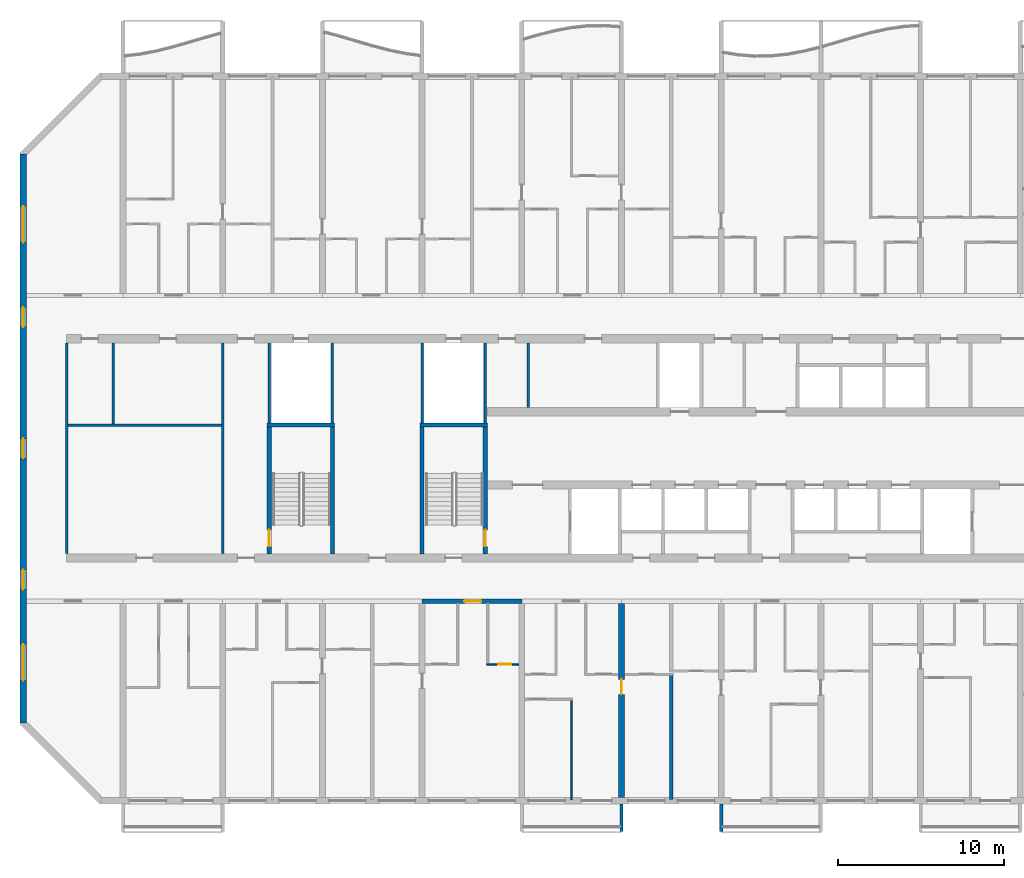
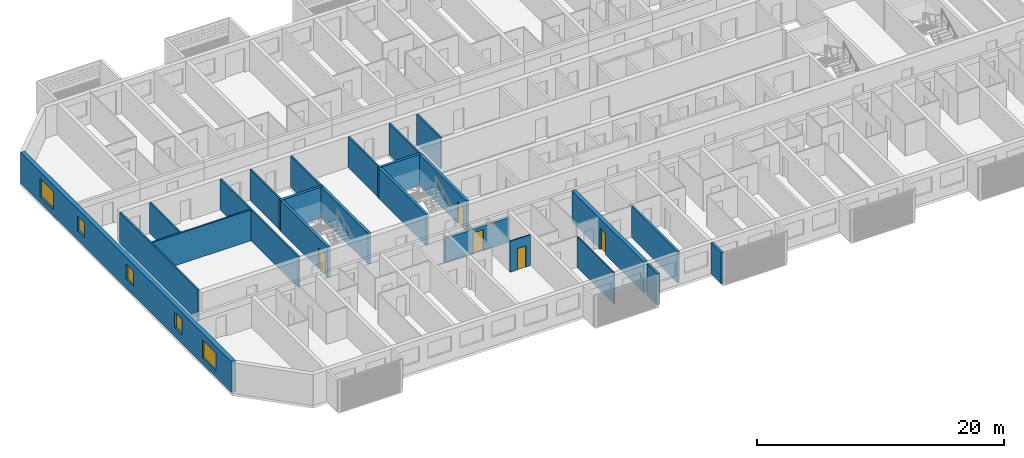
# One storey, part 3 of 27: 23 walls, 5 doors, 5 windows, 10 openings.
"""IFC4 building model written with IfcOpenShell, lengths in metres."""

from ifc_helpers import new_model, si_unit, direction, frame, frame_2d, origin, place, context, subcontext, project, spatial, polyline, rectangle, outline, extrude, source, transform, mapped, material, layer, layer_set, type_object, element, fill, save


model = new_model("IFC4")

# Units and contexts
model_context = context("Model", 3, precision=1e-05, world=origin(), true_north=direction((0.0, 1.0)))
body_context = subcontext(model_context, "Body", "Model", "MODEL_VIEW")
ifc_project = project(units=[si_unit("LENGTHUNIT", "METRE"), si_unit("AREAUNIT", "SQUARE_METRE"), si_unit("VOLUMEUNIT", "CUBIC_METRE"), si_unit("PLANEANGLEUNIT", "RADIAN"), si_unit("MASSUNIT", "GRAM", prefix="KILO")], contexts=[model_context])

# Site, building, storey
site_placement = place(None, origin())
site = spatial("IfcSite", under=ifc_project, at=site_placement, CompositionType="ELEMENT")
building_placement = place(site_placement, origin())
building = spatial("IfcBuilding", under=site, at=building_placement, Name="Poui Terraces", CompositionType="ELEMENT")
storey_placement = place(building_placement, frame((0.0, 0.0, 92.699951171875)))
storey = spatial("IfcBuildingStorey", under=building, at=storey_placement, Name="L25", CompositionType="ELEMENT", Elevation=92.699951171875)

# Walls
ifc_material_1 = material(Name="Fire-rated plasterboard wall")
ifc_layer_1 = layer(ifc_material_1, 0.14990234375)
ifc_layer_set_1 = layer_set([ifc_layer_1], Name="Fire-rated plasterboard wall")
wall_type_1 = type_object("IfcWallType", Name="CORRIDOR WALL 150", PredefinedType="PARTITIONING", material=ifc_layer_set_1)
for number, where, z_axis, x_axis, name in (
    (1, (8.60009765625, 14.860107421875, 0.0), (0.0, 0.0, 1.0), (0.0, 1.0, 0.0), "CORRIDOR WALL 150"),
    (2, (18.0, 14.860107421875, 0.0), (0.0, 0.0, 1.0), (0.0, 1.0, 0.0), "CORRIDOR WALL 150"),
):
    element("IfcWall", number, at=place(storey_placement, frame(where, z_axis=z_axis, x_axis=x_axis)), inside=storey, type_object=wall_type_1, Name=name, PredefinedType="PARTITIONING", context=body_context, shape_type="SweptSolid", body=[
        extrude(rectangle(XDim=12.679931640625, YDim=0.14990234375, at=frame_2d((6.33984375, 0.0))), origin(), (0.0, 0.0, 1.0), 3.06005859375),
    ])

# Wall, opening, door
ifc_material_2 = material(Name="Concrete 65 MPa", Category="concrete")
ifc_layer_2 = layer(ifc_material_2, 0.25)
ifc_layer_set_2 = layer_set([ifc_layer_2], Name="Concrete 65 MPa")
wall_type_2 = type_object("IfcWallType", Name="CORRIDOR WALL 250 65MPa", PredefinedType="SHEAR", material=ifc_layer_set_2)
wall_1_placement = place(storey_placement, frame((30.0, 12.0, 0.0), z_axis=(0.0, 0.0, 1.0), x_axis=(1.0, 0.0, 0.0)))
wall_1 = element("IfcWall", 3, at=wall_1_placement, inside=storey, type_object=wall_type_2, Name="CORRIDOR WALL LINE B BAY 5", PredefinedType="SHEAR", context=body_context, shape_type="SweptSolid", body=[
    extrude(rectangle(XDim=6.0, YDim=0.25, at=frame_2d((3.0, 0.0))), origin(), (0.0, 0.0, 1.0), 2.4599609375),
])
opening_1_placement = place(wall_1_placement, frame((2.550048828125, 0.0, 0.0)))
opening_1 = element("IfcOpeningElement", 4, at=opening_1_placement, cuts=wall_1, Name="Opening FD30S", PredefinedType="OPENING", context=body_context, shape_type="SweptSolid", body=[
    extrude(rectangle(XDim=1.0, YDim=2.10009765625, at=frame_2d((0.5, 1.050048828125))), frame((0.0, 0.135009765625, 0.0), z_axis=(0.0, -1.0, 0.0), x_axis=(1.0, 0.0, 0.0)), (0.0, 0.0, 1.0), 0.27001953125),
])
ifc_material_3 = material(Name="Steel fire door", Category="steel")
door_type_1 = type_object("IfcDoorType", Name="FLAT ENTRANCE DOOR 1000 X 2100", OperationType="NOTDEFINED", PredefinedType="DOOR", material=ifc_material_3)
door_1_placement = place(opening_1_placement, frame((1.0, 0.0, 0.0), z_axis=(0.0, 0.0, 1.0), x_axis=(-1.0, 0.0, 0.0)))
door_1 = element("IfcDoor", 5, at=door_1_placement, inside=storey, type_object=door_type_1, Name="FLAT ENTRANCE DOOR 096", OperationType="SINGLE_SWING_LEFT", OverallHeight=2.10009765625, OverallWidth=1.0, PredefinedType="DOOR", context=body_context, shape_type="SweptSolid", body=[
    extrude(rectangle(XDim=1.0, YDim=2.10009765625, at=frame_2d((0.5, 1.050048828125))), frame((0.0, 0.02490234375, 0.0), z_axis=(0.0, -1.0, 0.0), x_axis=(1.0, 0.0, 0.0)), (0.0, 0.0, 1.0), 0.050048828125),
])
fill(opening_1, door_1)

ifc_layer_3 = layer(ifc_material_2, 0.35009765625)
ifc_layer_set_3 = layer_set([ifc_layer_3], Name="Concrete 65 MPa")
wall_type_3 = type_object("IfcWallType", Name="CROSS WALL 350 65MPa", PredefinedType="SHEAR", material=ifc_layer_set_3)
wall_2_placement = place(storey_placement, frame((42.0, 0.199951171875, 0.0), z_axis=(0.0, 0.0, 1.0), x_axis=(0.0, 1.0, 0.0)))
wall_2 = element("IfcWall", 6, at=wall_2_placement, inside=storey, type_object=wall_type_3, Name="CROSS WALL LINE 8 SOUTH", PredefinedType="SHEAR", context=body_context, shape_type="SweptSolid", body=[
    extrude(rectangle(XDim=11.675048828125, YDim=0.35009765625, at=frame_2d((5.83740234375, 0.0))), origin(), (0.0, 0.0, 1.0), 3.06005859375),
])
opening_2_placement = place(wall_2_placement, frame((6.199951171875, 0.0, 0.0)))
opening_2 = element("IfcOpeningElement", 7, at=opening_2_placement, cuts=wall_2, Name="Opening D90", PredefinedType="OPENING", context=body_context, shape_type="SweptSolid", body=[
    extrude(rectangle(XDim=0.89990234375, YDim=2.10009765625, at=frame_2d((0.449951171875, 1.050048828125))), frame((0.0, 0.18505859375, 0.0), z_axis=(0.0, -1.0, 0.0), x_axis=(1.0, 0.0, 0.0)), (0.0, 0.0, 1.0), 0.3701171875),
])
ifc_material_4 = material(Name="Solid core timber door", Category="wood")
door_type_2 = type_object("IfcDoorType", Name="INTERNAL DOOR 900 X 2100", OperationType="NOTDEFINED", PredefinedType="DOOR", material=ifc_material_4)
door_2_placement = place(opening_2_placement, frame((0.89990234375, 0.0, 0.0), z_axis=(0.0, 0.0, 1.0), x_axis=(-1.0, 0.0, 0.0)))
door_2 = element("IfcDoor", 8, at=door_2_placement, inside=storey, type_object=door_type_2, Name="INTERNAL DOOR 103", OperationType="SINGLE_SWING_LEFT", OverallHeight=2.10009765625, OverallWidth=0.89990234375, PredefinedType="DOOR", context=body_context, shape_type="SweptSolid", body=[
    extrude(rectangle(XDim=0.89990234375, YDim=2.10009765625, at=frame_2d((0.449951171875, 1.050048828125))), frame((0.0, 0.02490234375, 0.0), z_axis=(0.0, -1.0, 0.0), x_axis=(1.0, 0.0, 0.0)), (0.0, 0.0, 1.0), 0.050048828125),
])
fill(opening_2, door_2)

# Wall, openings, windows
ifc_layer_4 = layer(ifc_material_2, 0.39990234375)
ifc_layer_set_4 = layer_set([ifc_layer_4], Name="Concrete 65 MPa")
wall_type_4 = type_object("IfcWallType", Name="END WALL 400 65MPa", PredefinedType="SHEAR", material=ifc_layer_set_4)
wall_3_placement = place(storey_placement, frame((6.0, 4.682861328125, 0.0), z_axis=(0.0, 0.0, 1.0), x_axis=(0.0, 1.0, 0.0)))
wall_3 = element("IfcWall", 9, at=wall_3_placement, inside=storey, type_object=wall_type_4, Name="END WALL WEST", PredefinedType="SHEAR", context=body_context, shape_type="SweptSolid", body=[
    extrude(rectangle(XDim=34.234375, YDim=0.39990234375, at=frame_2d((17.1171875, 0.0))), origin(), (0.0, 0.0, 1.0), 3.06005859375),
])
opening_3_placement = place(wall_3_placement, frame((23.817138671875, 0.0, 0.89990234375)))
opening_3 = element("IfcOpeningElement", 10, at=opening_3_placement, cuts=wall_3, Name="Opening W2", PredefinedType="OPENING", context=body_context, shape_type="SweptSolid", body=[
    extrude(rectangle(XDim=1.199951171875, YDim=1.5, at=frame_2d((0.60009765625, 0.75))), frame((0.0, 0.2099609375, 0.0), z_axis=(0.0, -1.0, 0.0), x_axis=(1.0, 0.0, 0.0)), (0.0, 0.0, 1.0), 0.419921875),
])
opening_4_placement = place(wall_3_placement, frame((8.01708984375, 0.0, 0.89990234375)))
opening_4 = element("IfcOpeningElement", 11, at=opening_4_placement, cuts=wall_3, Name="Opening W2", PredefinedType="OPENING", context=body_context, shape_type="SweptSolid", body=[
    extrude(rectangle(XDim=1.199951171875, YDim=1.5, at=frame_2d((0.60009765625, 0.75))), frame((0.0, 0.2099609375, 0.0), z_axis=(0.0, -1.0, 0.0), x_axis=(1.0, 0.0, 0.0)), (0.0, 0.0, 1.0), 0.419921875),
])
opening_5_placement = place(wall_3_placement, frame((15.917236328125, 0.0, 0.89990234375)))
opening_5 = element("IfcOpeningElement", 12, at=opening_5_placement, cuts=wall_3, Name="Opening W2", PredefinedType="OPENING", context=body_context, shape_type="SweptSolid", body=[
    extrude(rectangle(XDim=1.199951171875, YDim=1.5, at=frame_2d((0.60009765625, 0.75))), frame((0.0, 0.2099609375, 0.0), z_axis=(0.0, -1.0, 0.0), x_axis=(1.0, 0.0, 0.0)), (0.0, 0.0, 1.0), 0.419921875),
])
opening_6_placement = place(wall_3_placement, frame((28.8935546875, 0.0, 0.60009765625)))
opening_6 = element("IfcOpeningElement", 13, at=opening_6_placement, cuts=wall_3, Name="Opening W3", PredefinedType="OPENING", context=body_context, shape_type="SweptSolid", body=[
    extrude(rectangle(XDim=2.199951171875, YDim=1.800048828125, at=frame_2d((1.10009765625, 0.89990234375))), frame((0.0, 0.2099609375, 0.0), z_axis=(0.0, -1.0, 0.0), x_axis=(1.0, 0.0, 0.0)), (0.0, 0.0, 1.0), 0.419921875),
])
opening_7_placement = place(wall_3_placement, frame((2.541015625, 0.0, 0.60009765625)))
opening_7 = element("IfcOpeningElement", 14, at=opening_7_placement, cuts=wall_3, Name="Opening W3", PredefinedType="OPENING", context=body_context, shape_type="SweptSolid", body=[
    extrude(rectangle(XDim=2.199951171875, YDim=1.800048828125, at=frame_2d((1.10009765625, 0.89990234375))), frame((0.0, 0.2099609375, 0.0), z_axis=(0.0, -1.0, 0.0), x_axis=(1.0, 0.0, 0.0)), (0.0, 0.0, 1.0), 0.419921875),
])
ifc_material_5 = material(Name="Clear glass in aluminium frame", Category="aluminium")
window_type_1 = type_object("IfcWindowType", Name="WINDOW 1200X1500", PartitioningType="SINGLE_PANEL", PredefinedType="WINDOW", material=ifc_material_5)
window_1_placement = place(opening_3_placement, origin())
window_1 = element("IfcWindow", 15, at=window_1_placement, inside=storey, type_object=window_type_1, Name="W2 WINDOW", OverallHeight=1.5, OverallWidth=1.199951171875, PartitioningType="SINGLE_PANEL", PredefinedType="WINDOW", context=body_context, shape_type="SweptSolid", body=[
    extrude(rectangle(XDim=1.199951171875, YDim=1.5, at=frame_2d((0.60009765625, 0.75))), frame((0.0, 0.030029296875, 0.0), z_axis=(0.0, -1.0, 0.0), x_axis=(1.0, 0.0, 0.0)), (0.0, 0.0, 1.0), 0.06005859375),
])
fill(opening_3, window_1)
window_2_placement = place(opening_4_placement, origin())
window_2 = element("IfcWindow", 16, at=window_2_placement, inside=storey, type_object=window_type_1, Name="W2 WINDOW", OverallHeight=1.5, OverallWidth=1.199951171875, PartitioningType="SINGLE_PANEL", PredefinedType="WINDOW", context=body_context, shape_type="SweptSolid", body=[
    extrude(rectangle(XDim=1.199951171875, YDim=1.5, at=frame_2d((0.60009765625, 0.75))), frame((0.0, 0.030029296875, 0.0), z_axis=(0.0, -1.0, 0.0), x_axis=(1.0, 0.0, 0.0)), (0.0, 0.0, 1.0), 0.06005859375),
])
fill(opening_4, window_2)
window_3_placement = place(opening_5_placement, origin())
window_3 = element("IfcWindow", 17, at=window_3_placement, inside=storey, type_object=window_type_1, Name="W2 WINDOW", OverallHeight=1.5, OverallWidth=1.199951171875, PartitioningType="SINGLE_PANEL", PredefinedType="WINDOW", context=body_context, shape_type="SweptSolid", body=[
    extrude(rectangle(XDim=1.199951171875, YDim=1.5, at=frame_2d((0.60009765625, 0.75))), frame((0.0, 0.030029296875, 0.0), z_axis=(0.0, -1.0, 0.0), x_axis=(1.0, 0.0, 0.0)), (0.0, 0.0, 1.0), 0.06005859375),
])
fill(opening_5, window_3)
window_type_2 = type_object("IfcWindowType", Name="WINDOW 2200X1800", PartitioningType="DOUBLE_PANEL_HORIZONTAL", PredefinedType="WINDOW", material=ifc_material_5)
window_4_placement = place(opening_6_placement, origin())
window_4 = element("IfcWindow", 18, at=window_4_placement, inside=storey, type_object=window_type_2, Name="W3 WINDOW", OverallHeight=1.800048828125, OverallWidth=2.199951171875, PartitioningType="DOUBLE_PANEL_HORIZONTAL", PredefinedType="WINDOW", context=body_context, shape_type="SweptSolid", body=[
    extrude(rectangle(XDim=2.199951171875, YDim=1.800048828125, at=frame_2d((1.10009765625, 0.89990234375))), frame((0.0, 0.030029296875, 0.0), z_axis=(0.0, -1.0, 0.0), x_axis=(1.0, 0.0, 0.0)), (0.0, 0.0, 1.0), 0.06005859375),
])
fill(opening_6, window_4)
window_5_placement = place(opening_7_placement, origin())
window_5 = element("IfcWindow", 19, at=window_5_placement, inside=storey, type_object=window_type_2, Name="W3 WINDOW", OverallHeight=1.800048828125, OverallWidth=2.199951171875, PartitioningType="DOUBLE_PANEL_HORIZONTAL", PredefinedType="WINDOW", context=body_context, shape_type="SweptSolid", body=[
    extrude(rectangle(XDim=2.199951171875, YDim=1.800048828125, at=frame_2d((1.10009765625, 0.89990234375))), frame((0.0, 0.030029296875, 0.0), z_axis=(0.0, -1.0, 0.0), x_axis=(1.0, 0.0, 0.0)), (0.0, 0.0, 1.0), 0.06005859375),
])
fill(opening_7, window_5)

# Wall, opening, door
ifc_material_6 = material(Name="Plasterboard partition")
ifc_layer_5 = layer(ifc_material_6, 0.10009765625)
ifc_layer_set_5 = layer_set([ifc_layer_5], Name="Plasterboard partition")
wall_type_5 = type_object("IfcWallType", Name="FLAT PARTITION 100", PredefinedType="PARTITIONING", material=ifc_layer_set_5)
wall_4_placement = place(storey_placement, frame((33.89990234375, 8.199951171875, 0.0), z_axis=(0.0, 0.0, 1.0), x_axis=(1.0, 0.0, 0.0)))
wall_4 = element("IfcWall", 20, at=wall_4_placement, inside=storey, type_object=wall_type_5, Name="FLAT PARTITION 100", PredefinedType="PARTITIONING", context=body_context, shape_type="SweptSolid", body=[
    extrude(rectangle(XDim=1.9150390625, YDim=0.10009765625, at=frame_2d((0.95751953125, 0.0))), origin(), (0.0, 0.0, 1.0), 3.06005859375),
])
opening_8_placement = place(wall_4_placement, frame((0.675048828125, 0.0, 0.0)))
opening_8 = element("IfcOpeningElement", 21, at=opening_8_placement, cuts=wall_4, Name="Opening D80", PredefinedType="OPENING", context=body_context, shape_type="SweptSolid", body=[
    extrude(rectangle(XDim=0.800048828125, YDim=2.10009765625, at=frame_2d((0.39990234375, 1.050048828125))), frame((0.0, 0.06005859375, 0.0), z_axis=(0.0, -1.0, 0.0), x_axis=(1.0, 0.0, 0.0)), (0.0, 0.0, 1.0), 0.1201171875),
])
door_type_3 = type_object("IfcDoorType", Name="BATHROOM, LAUNDRY AND STORE DOOR 800 X 2100", OperationType="NOTDEFINED", PredefinedType="DOOR", material=ifc_material_4)
door_3_placement = place(opening_8_placement, origin())
door_3 = element("IfcDoor", 22, at=door_3_placement, inside=storey, type_object=door_type_3, Name="BATHROOM, LAUNDRY AND STORE DOOR 097", OperationType="SINGLE_SWING_RIGHT", OverallHeight=2.10009765625, OverallWidth=0.800048828125, PredefinedType="DOOR", context=body_context, shape_type="SweptSolid", body=[
    extrude(rectangle(XDim=0.800048828125, YDim=2.10009765625, at=frame_2d((0.39990234375, 1.050048828125))), frame((0.0, 0.02490234375, 0.0), z_axis=(0.0, -1.0, 0.0), x_axis=(1.0, 0.0, 0.0)), (0.0, 0.0, 1.0), 0.050048828125),
])
fill(opening_8, door_3)

# Walls
wall_5_placement = place(storey_placement, frame((39.0, 0.06005859375, 0.0), z_axis=(0.0, 0.0, 1.0), x_axis=(0.0, 1.0, 0.0)))
element("IfcWall", 23, at=wall_5_placement, inside=storey, type_object=wall_type_5, Name="FLAT PARTITION 100", PredefinedType="PARTITIONING", context=body_context, shape_type="SweptSolid", body=[
    extrude(rectangle(XDim=5.989990234375, YDim=0.10009765625, at=frame_2d((2.9951171875, 0.0))), origin(), (0.0, 0.0, 1.0), 3.06005859375),
])
ifc_material_7 = material(Name="Fire-rated masonry wall", Category="masonry")
ifc_layer_6 = layer(ifc_material_7, 0.199951171875)
ifc_layer_set_6 = layer_set([ifc_layer_6], Name="Fire-rated masonry wall")
wall_type_6 = type_object("IfcWallType", Name="FLAT PARTY WALL 200", PredefinedType="PARTITIONING", material=ifc_layer_set_6)
wall_6_placement = place(storey_placement, frame((45.0, 0.06005859375, 0.0), z_axis=(0.0, 0.0, 1.0), x_axis=(0.0, 1.0, 0.0)))
element("IfcWall", 24, at=wall_6_placement, inside=storey, type_object=wall_type_6, Name="FLAT PARTY WALL 200", PredefinedType="PARTITIONING", context=body_context, shape_type="SweptSolid", body=[
    extrude(rectangle(XDim=7.489990234375, YDim=0.199951171875, at=frame_2d((3.7451171875, 0.0))), origin(), (0.0, 0.0, 1.0), 3.06005859375),
])
ifc_layer_7 = layer(ifc_material_6, 0.14990234375)
ifc_layer_set_7 = layer_set([ifc_layer_7], Name="Plasterboard partition")
wall_type_7 = type_object("IfcWallType", Name="PARTITION WALL 150", PredefinedType="PARTITIONING", material=ifc_layer_set_7)
wall_7_placement = place(storey_placement, frame((8.675048828125, 22.60009765625, 0.0), z_axis=(0.0, 0.0, 1.0), x_axis=(1.0, 0.0, 0.0)))
element("IfcWall", 25, at=wall_7_placement, inside=storey, type_object=wall_type_7, Name="PARTITION WALL 150", PredefinedType="PARTITIONING", context=body_context, shape_type="SweptSolid", body=[
    extrude(rectangle(XDim=9.25, YDim=0.14990234375, at=frame_2d((4.625, 0.0))), origin(), (0.0, 0.0, 1.0), 3.06005859375),
])
wall_8_placement = place(storey_placement, frame((11.39990234375, 22.675048828125, 0.0), z_axis=(0.0, 0.0, 1.0), x_axis=(0.0, 1.0, 0.0)))
element("IfcWall", 26, at=wall_8_placement, inside=storey, type_object=wall_type_7, Name="PARTITION WALL 150", PredefinedType="PARTITIONING", context=body_context, shape_type="SweptSolid", body=[
    extrude(rectangle(XDim=4.864990234375, YDim=0.14990234375, at=frame_2d((2.4326171875, 0.0))), origin(), (0.0, 0.0, 1.0), 3.06005859375),
])
wall_9_placement = place(storey_placement, frame((36.39990234375, 23.659912109375, 0.0), z_axis=(0.0, 0.0, 1.0), x_axis=(0.0, 1.0, 0.0)))
element("IfcWall", 27, at=wall_9_placement, inside=storey, type_object=wall_type_7, Name="PARTITION WALL 150", PredefinedType="PARTITIONING", context=body_context, shape_type="SweptSolid", body=[
    extrude(rectangle(XDim=3.880126953125, YDim=0.14990234375, at=frame_2d((1.93994140625, 0.0))), origin(), (0.0, 0.0, 1.0), 3.06005859375),
])
ifc_material_8 = material(Name="Fire-rated plasterboard riser wall")
ifc_layer_8 = layer(ifc_material_8, 0.14990234375)
ifc_layer_set_8 = layer_set([ifc_layer_8], Name="Fire-rated plasterboard riser wall")
wall_type_8 = type_object("IfcWallType", Name="RISER WALL 150", PredefinedType="PARTITIONING", material=ifc_layer_set_8)
for number, where, z_axis, x_axis, name in (
    (28, (20.800048828125, 22.735107421875, 0.0), (0.0, 0.0, 1.0), (0.0, 1.0, 0.0), "RISER WALL 150"),
    (29, (24.60009765625, 22.735107421875, 0.0), (0.0, 0.0, 1.0), (0.0, 1.0, 0.0), "RISER WALL 150"),
    (30, (30.0, 22.735107421875, 0.0), (0.0, 0.0, 1.0), (0.0, 1.0, 0.0), "RISER WALL 150"),
    (31, (33.800048828125, 22.735107421875, 0.0), (0.0, 0.0, 1.0), (0.0, 1.0, 0.0), "RISER WALL 150"),
):
    element("IfcWall", number, at=place(storey_placement, frame(where, z_axis=z_axis, x_axis=x_axis)), inside=storey, type_object=wall_type_8, Name=name, PredefinedType="PARTITIONING", context=body_context, shape_type="SweptSolid", body=[
        extrude(rectangle(XDim=4.804931640625, YDim=0.14990234375, at=frame_2d((2.40234375, 0.0))), origin(), (0.0, 0.0, 1.0), 3.06005859375),
    ])
ifc_layer_9 = layer(ifc_material_2, 0.25)
ifc_layer_set_9 = layer_set([ifc_layer_9], Name="Concrete 65 MPa")
wall_type_9 = type_object("IfcWallType", Name="STAIR CORE WALL 250 65 MPA", PredefinedType="SOLIDWALL", material=ifc_layer_set_9)
wall_10_placement = place(storey_placement, frame((30.0, 14.85009765625, 0.0), z_axis=(0.0, 0.0, 1.0), x_axis=(0.0, 1.0, 0.0)))
element("IfcWall", 32, at=wall_10_placement, inside=storey, type_object=wall_type_9, Name="STAIR CORE WALL", PredefinedType="SOLIDWALL", context=body_context, shape_type="SweptSolid", body=[
    extrude(rectangle(XDim=7.625, YDim=0.25, at=frame_2d((3.8125, 0.0))), origin(), (0.0, 0.0, 1.0), 3.06005859375),
])

# Wall, opening, door
wall_11_placement = place(storey_placement, frame((33.800048828125, 14.85009765625, 0.0), z_axis=(0.0, 0.0, 1.0), x_axis=(0.0, 1.0, 0.0)))
wall_11 = element("IfcWall", 33, at=wall_11_placement, inside=storey, type_object=wall_type_9, Name="STAIR CORE WALL", PredefinedType="SOLIDWALL", context=body_context, shape_type="SweptSolid", body=[
    extrude(rectangle(XDim=7.625, YDim=0.25, at=frame_2d((3.8125, 0.0))), origin(), (0.0, 0.0, 1.0), 3.06005859375),
])
opening_9_placement = place(wall_11_placement, frame((0.449951171875, 0.0, 0.0)))
opening_9 = element("IfcOpeningElement", 34, at=opening_9_placement, cuts=wall_11, Name="Opening FD60S", PredefinedType="OPENING", context=body_context, shape_type="SweptSolid", body=[
    extrude(rectangle(XDim=1.0, YDim=2.10009765625, at=frame_2d((0.5, 1.050048828125))), frame((0.0, 0.135009765625, 0.0), z_axis=(0.0, -1.0, 0.0), x_axis=(1.0, 0.0, 0.0)), (0.0, 0.0, 1.0), 0.27001953125),
])
door_type_4 = type_object("IfcDoorType", Name="STAIR DOOR 1000 X 2100", OperationType="NOTDEFINED", PredefinedType="DOOR", material=ifc_material_3)
door_4_placement = place(opening_9_placement, origin())
door_4 = element("IfcDoor", 35, at=door_4_placement, inside=storey, type_object=door_type_4, Name="STAIR DOOR 134", OperationType="SINGLE_SWING_LEFT", OverallHeight=2.10009765625, OverallWidth=1.0, PredefinedType="DOOR", context=body_context, shape_type="SweptSolid", body=[
    extrude(rectangle(XDim=1.0, YDim=2.10009765625, at=frame_2d((0.5, 1.050048828125))), frame((0.0, 0.02490234375, 0.0), z_axis=(0.0, -1.0, 0.0), x_axis=(1.0, 0.0, 0.0)), (0.0, 0.0, 1.0), 0.050048828125),
])
fill(opening_9, door_4)

# Wall
wall_12_placement = place(storey_placement, frame((29.875, 22.60009765625, 0.0), z_axis=(0.0, 0.0, 1.0), x_axis=(1.0, 0.0, 0.0)))
element("IfcWall", 36, at=wall_12_placement, inside=storey, type_object=wall_type_9, Name="STAIR CORE WALL", PredefinedType="SOLIDWALL", context=body_context, shape_type="SweptSolid", body=[
    extrude(rectangle(XDim=4.050048828125, YDim=0.25, at=frame_2d((2.02490234375, 0.0))), origin(), (0.0, 0.0, 1.0), 3.06005859375),
])

# Wall, opening, door
wall_13_placement = place(storey_placement, frame((20.800048828125, 14.85009765625, 0.0), z_axis=(0.0, 0.0, 1.0), x_axis=(0.0, 1.0, 0.0)))
wall_13 = element("IfcWall", 37, at=wall_13_placement, inside=storey, type_object=wall_type_9, Name="STAIR CORE WALL", PredefinedType="SOLIDWALL", context=body_context, shape_type="SweptSolid", body=[
    extrude(rectangle(XDim=7.625, YDim=0.25, at=frame_2d((3.8125, 0.0))), origin(), (0.0, 0.0, 1.0), 3.06005859375),
])
opening_10_placement = place(wall_13_placement, frame((0.449951171875, 0.0, 0.0)))
opening_10 = element("IfcOpeningElement", 38, at=opening_10_placement, cuts=wall_13, Name="Opening FD60S", PredefinedType="OPENING", context=body_context, shape_type="SweptSolid", body=[
    extrude(rectangle(XDim=1.0, YDim=2.10009765625, at=frame_2d((0.5, 1.050048828125))), frame((0.0, 0.135009765625, 0.0), z_axis=(0.0, -1.0, 0.0), x_axis=(1.0, 0.0, 0.0)), (0.0, 0.0, 1.0), 0.27001953125),
])
door_5_placement = place(opening_10_placement, frame((1.0, 0.0, 0.0), z_axis=(0.0, 0.0, 1.0), x_axis=(-1.0, 0.0, 0.0)))
door_5 = element("IfcDoor", 39, at=door_5_placement, inside=storey, type_object=door_type_4, Name="STAIR DOOR 148", OperationType="SINGLE_SWING_RIGHT", OverallHeight=2.10009765625, OverallWidth=1.0, PredefinedType="DOOR", context=body_context, shape_type="SweptSolid", body=[
    extrude(rectangle(XDim=1.0, YDim=2.10009765625, at=frame_2d((0.5, 1.050048828125))), frame((0.0, 0.02490234375, 0.0), z_axis=(0.0, -1.0, 0.0), x_axis=(1.0, 0.0, 0.0)), (0.0, 0.0, 1.0), 0.050048828125),
])
fill(opening_10, door_5)

# Walls
wall_14_placement = place(storey_placement, frame((24.60009765625, 14.85009765625, 0.0), z_axis=(0.0, 0.0, 1.0), x_axis=(0.0, 1.0, 0.0)))
element("IfcWall", 40, at=wall_14_placement, inside=storey, type_object=wall_type_9, Name="STAIR CORE WALL", PredefinedType="SOLIDWALL", context=body_context, shape_type="SweptSolid", body=[
    extrude(rectangle(XDim=7.625, YDim=0.25, at=frame_2d((3.8125, 0.0))), origin(), (0.0, 0.0, 1.0), 3.06005859375),
])
wall_15_placement = place(storey_placement, frame((20.675048828125, 22.60009765625, 0.0), z_axis=(0.0, 0.0, 1.0), x_axis=(1.0, 0.0, 0.0)))
element("IfcWall", 41, at=wall_15_placement, inside=storey, type_object=wall_type_9, Name="STAIR CORE WALL", PredefinedType="SOLIDWALL", context=body_context, shape_type="SweptSolid", body=[
    extrude(rectangle(XDim=4.050048828125, YDim=0.25, at=frame_2d((2.02490234375, 0.0))), origin(), (0.0, 0.0, 1.0), 3.06005859375),
])
ifc_material_9 = material(Name="Precast concrete 40 MPa", Category="concrete")
ifc_layer_10 = layer(ifc_material_9, 0.199951171875)
ifc_layer_set_10 = layer_set([ifc_layer_10], Name="Precast concrete 40 MPa")
wall_type_10 = type_object("IfcWallType", Name="REAR FIN 200", PredefinedType="STANDARD", material=ifc_layer_set_10)
shared_shape = source(origin(), body_context, "Body", "SweptSolid", [
    extrude(outline(polyline([(0.0, 0.0), (0.2001953125, 0.0), (0.2001953125, 1.650146484375), (0.0, 1.650146484375), (0.0, 0.0)])), origin(), (0.0, 0.0, 1.0), 3.10009765625),
])
for number, where, name in (
    (42, (41.89990234375, -1.85009765625, 0.0), "REAR FIN"),
    (43, (47.89990234375, -1.85009765625, 0.0), "REAR FIN"),
):
    element("IfcWall", number, at=place(storey_placement, frame(where)), inside=storey, type_object=wall_type_10, Name=name, PredefinedType="STANDARD", context=body_context, shape_type="MappedRepresentation", body=[
        mapped(shared_shape, transform((0.0, 0.0, 0.0))),
    ])

save(model, "model.ifc")
